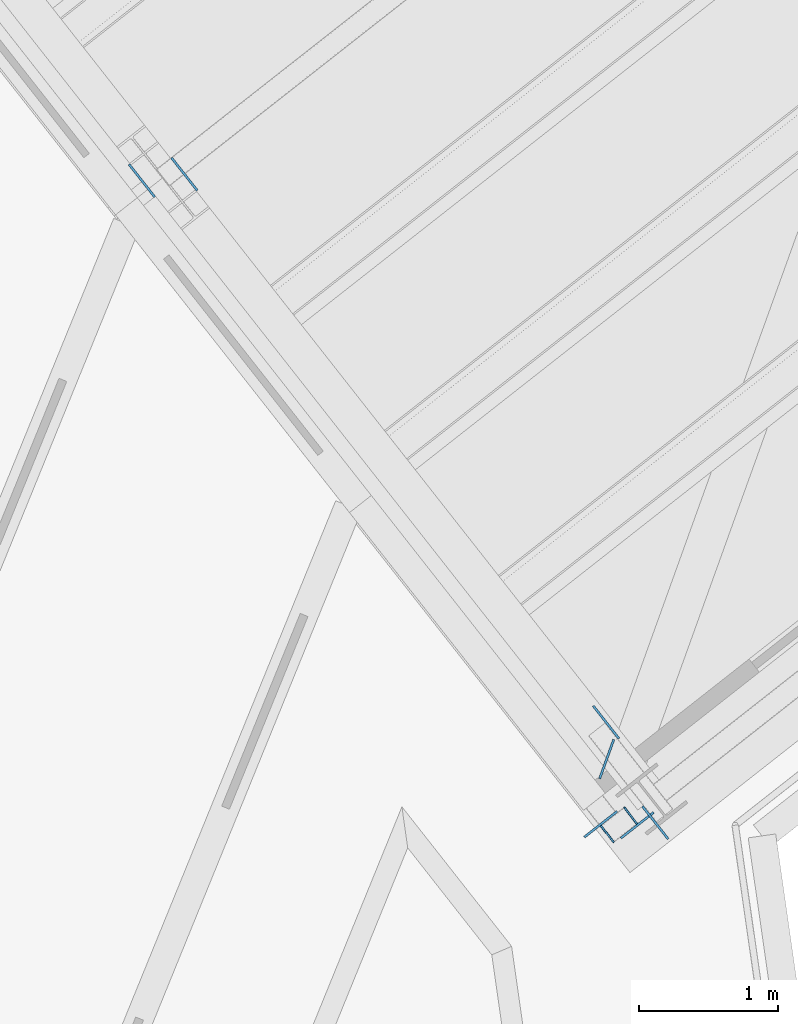
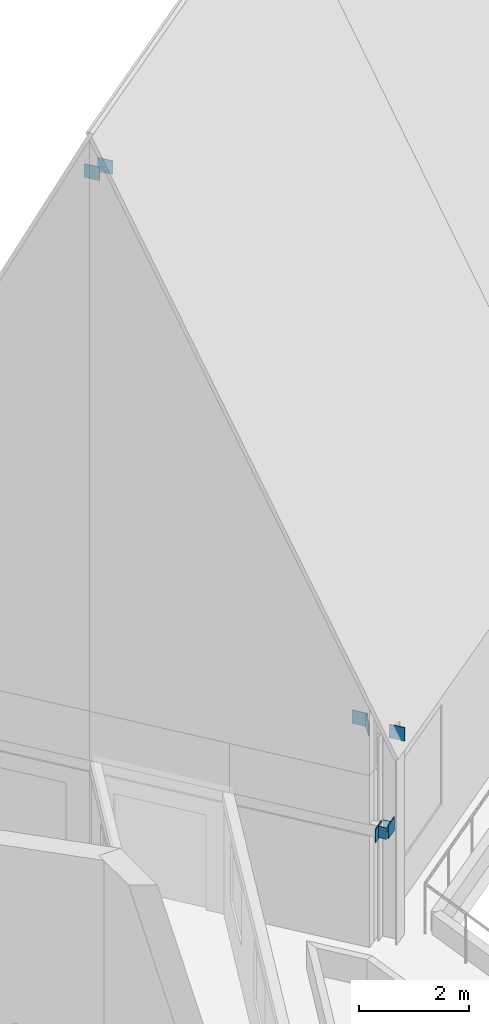
# One storey, part 26 of 32: 9 discrete accessories.
"""IFC4 building model written with IfcOpenShell, lengths in metres."""

from ifc_helpers import new_model, si_unit, direction, frame, origin, origin_2d, place, context, subcontext, project, spatial, rectangle, extrude, element, save


model = new_model("IFC4")

# Units and contexts
model_context = context("Model", 3, precision=1e-05, world=origin(), true_north=direction((0.0, 1.0)))
body_context = subcontext(model_context, "Body", "Model", "MODEL_VIEW")
ifc_project = project(units=[si_unit("LENGTHUNIT", "METRE"), si_unit("AREAUNIT", "SQUARE_METRE"), si_unit("VOLUMEUNIT", "CUBIC_METRE"), si_unit("PLANEANGLEUNIT", "RADIAN"), si_unit("MASSUNIT", "GRAM", prefix="KILO")], contexts=[model_context])

# Site, building, storey
site_placement = place(None, origin())
site = spatial("IfcSite", under=ifc_project, at=site_placement, CompositionType="ELEMENT")
building_placement = place(site_placement, origin())
building = spatial("IfcBuilding", under=site, at=building_placement, Name="Verdalira Terraces Hotel", CompositionType="ELEMENT")
storey_placement = place(building_placement, frame((0.0, 0.0, 315.0)))
storey = spatial("IfcBuildingStorey", under=building, at=storey_placement, Name="L78", CompositionType="ELEMENT", Elevation=315.0)

# Discrete accessories
for number, where, z_axis, x_axis, name in (
    (1, (21.863037, 9.930664, 2.583008), (0.792623989, 0.609710761, 0.0), (-0.609710761, 0.792623989, 0.0), "End cap plate"),
    (2, (22.031494, 10.062988, 2.583008), (0.792623989, 0.609710761, 0.0), (-0.609710761, 0.792623989, 0.0), "End cap plate"),
):
    element("IfcDiscreteAccessory", number, at=place(storey_placement, frame(where, z_axis=z_axis, x_axis=x_axis)), inside=storey, Name=name, PredefinedType="ANCHORPLATE", context=body_context, shape_type="SweptSolid", body=[
        extrude(rectangle(XDim=0.152344, YDim=0.253906, at=origin_2d()), origin(), (0.0, 0.0, 1.0), 0.011963),
    ])
for number, where, z_axis, x_axis, name in (
    (3, (18.512695, 14.644043, 15.350098), (0.0, 0.0, 1.0), (-0.617859613, 0.786288432, 0.0), "Connection plate"),
    (4, (18.819092, 14.690918, 15.350098), (0.0, 0.0, 1.0), (0.617859613, -0.786288432, 0.0), "Connection plate"),
    (5, (21.820312, 10.00415, 2.433105), (0.0, 0.0, 1.0), (0.786288432, 0.617859613, 0.0), "Connection plate"),
    (6, (21.858887, 10.740234, 4.477051), (0.0, 0.0, 1.0), (0.617859613, -0.786288432, 0.0), "Connection plate"),
    (7, (22.083496, 9.996582, 2.433105), (0.0, 0.0, 1.0), (-0.786288432, -0.617859613, 0.0), "Connection plate"),
    (8, (21.863525, 10.474121, 4.483887), (0.0, 0.0, 1.0), (0.338895562, 0.940824, 0.0), "Connection plate"),
    (9, (22.214111, 10.015625, 4.477051), (0.0, 0.0, 1.0), (-0.617859613, 0.786288432, 0.0), "Connection plate"),
):
    element("IfcDiscreteAccessory", number, at=place(storey_placement, frame(where, z_axis=z_axis, x_axis=x_axis)), inside=storey, Name=name, PredefinedType="BRACKET", context=body_context, shape_type="SweptSolid", body=[
        extrude(rectangle(XDim=0.300049, YDim=0.016113, at=origin_2d()), origin(), (0.0, 0.0, 1.0), 0.300049),
    ])

save(model, "model.ifc")
